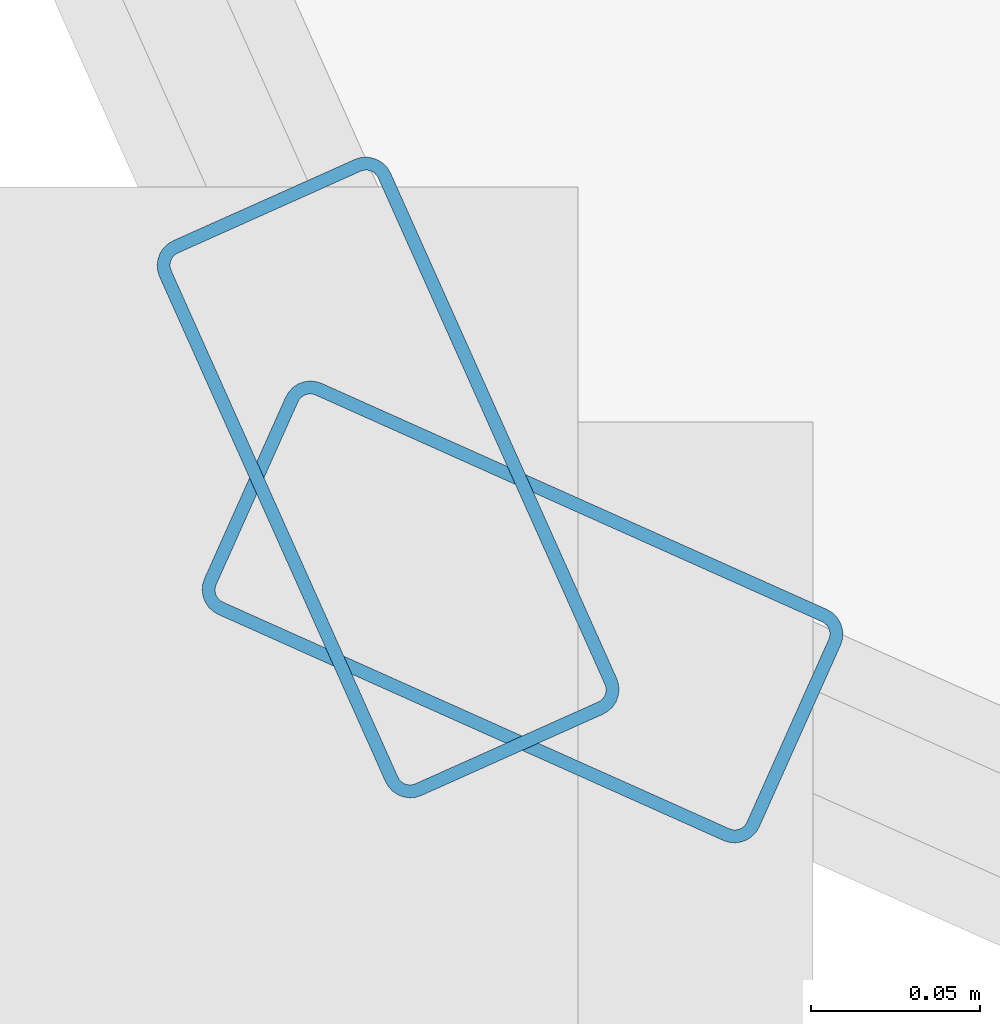
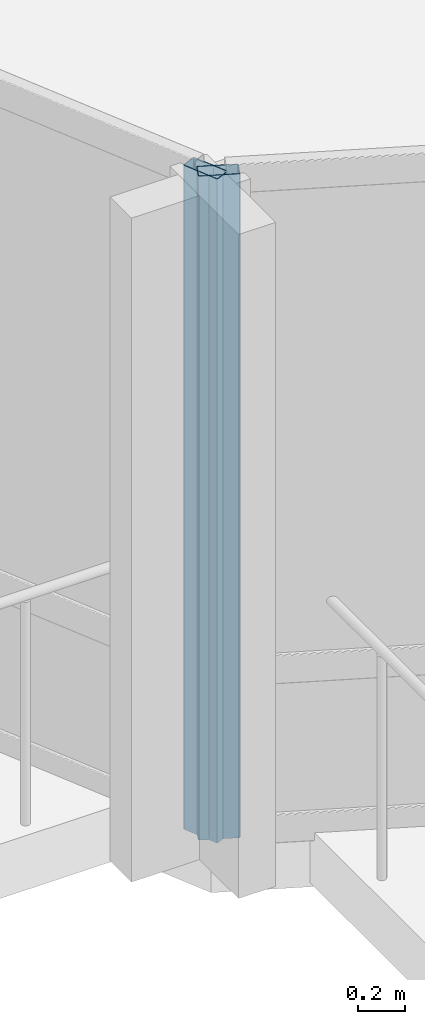
# One storey, part 2 of 19: 2 members, 2 elements without a shape of their own.
"""IFC4 building model written with IfcOpenShell, lengths in metres."""

from ifc_helpers import new_model, si_unit, direction, frame, origin, origin_2d, place, context, subcontext, project, spatial, hollow_rectangle, extrude, material, layer, layer_set, material_profile, profile_set, type_object, element, aggregate, save


model = new_model("IFC4")

# Units and contexts
model_context = context("Model", 3, precision=1e-05, world=origin(), true_north=direction((0.0, 1.0)))
body_context = subcontext(model_context, "Body", "Model", "MODEL_VIEW")
ifc_project = project(units=[si_unit("LENGTHUNIT", "METRE"), si_unit("AREAUNIT", "SQUARE_METRE"), si_unit("VOLUMEUNIT", "CUBIC_METRE"), si_unit("PLANEANGLEUNIT", "RADIAN"), si_unit("MASSUNIT", "GRAM", prefix="KILO")], contexts=[model_context])

# Site, building, storey
site_placement = place(None, origin())
site = spatial("IfcSite", under=ifc_project, at=site_placement, CompositionType="ELEMENT")
building_placement = place(site_placement, origin())
building = spatial("IfcBuilding", under=site, at=building_placement, Name="Solvaryn Broadcast Tower", CompositionType="ELEMENT")
storey_placement = place(building_placement, frame((0.0, 0.0, 259.300048828125)))
storey = spatial("IfcBuildingStorey", under=building, at=storey_placement, Name="L65", CompositionType="ELEMENT", Elevation=259.300048828125)

# Curtain wall, member
ifc_material_1 = material(Name="Aluminium and Terracotta Unitised Curtain Wall", Category="masonry")
ifc_layer = layer(ifc_material_1, 0.199951171875)
ifc_layer_set = layer_set([ifc_layer], Name="CW-SYS2-LOWMID")
curtain_wall_type = type_object("IfcCurtainWallType", Name="CW-SYS2-LOWMID", PredefinedType="NOTDEFINED", material=ifc_layer_set)
curtain_wall_1_placement = place(storey_placement, origin())
curtain_wall_1 = element("IfcCurtainWall", 1, at=curtain_wall_1_placement, inside=storey, type_object=curtain_wall_type, Name="L65 Curtain Wall DR2", PredefinedType="NOTDEFINED")
ifc_material_2 = material(Name="Anodised Aluminium 6063-T6", Category="aluminium")
ifc_material_profile = material_profile(ifc_material_2, hollow_rectangle(XDim=0.074951171875, YDim=0.179931640625, WallThickness=0.00390625, InnerFilletRadius=0.00390625, OuterFilletRadius=0.008056640625, at=origin_2d()))
ifc_profile_set = profile_set([ifc_material_profile], Name="Anodised Aluminium 6063-T6")
member_type = type_object("IfcMemberType", Name="CW-MUL-180", PredefinedType="MULLION", material=ifc_profile_set)
member_1_placement = place(storey_placement, frame((10.8046875, 10.844482421875, 0.0), z_axis=(0.0, 0.0, 1.0), x_axis=(0.912773530574, 0.408466010682, 0.0)))
member_1 = element("IfcMember", 2, at=member_1_placement, type_object=member_type, Name="CWS2 mullion 2", PredefinedType="MULLION", context=body_context, shape_type="SweptSolid", body=[
    extrude(hollow_rectangle(XDim=0.074951171875, YDim=0.179931640625, WallThickness=0.00390625, InnerFilletRadius=0.00390625, OuterFilletRadius=0.008056640625, at=origin_2d()), origin(), (0.0, 0.0, 1.0), 3.419921875),
])
aggregate(curtain_wall_1, [member_1])

curtain_wall_2_placement = place(storey_placement, origin())
curtain_wall_2 = element("IfcCurtainWall", 3, at=curtain_wall_2_placement, inside=storey, type_object=curtain_wall_type, Name="L65 Curtain Wall DR3", PredefinedType="NOTDEFINED")
member_2_placement = place(storey_placement, frame((10.844482421875, 10.8046875, 0.0), z_axis=(0.0, 0.0, 1.0), x_axis=(0.408466010682, 0.912773530574, 0.0)))
member_2 = element("IfcMember", 4, at=member_2_placement, type_object=member_type, Name="CWS2 mullion 1", PredefinedType="MULLION", context=body_context, shape_type="SweptSolid", body=[
    extrude(hollow_rectangle(XDim=0.074951171875, YDim=0.179931640625, WallThickness=0.00390625, InnerFilletRadius=0.00390625, OuterFilletRadius=0.008056640625, at=origin_2d()), origin(), (0.0, 0.0, 1.0), 3.419921875),
])
aggregate(curtain_wall_2, [member_2])

save(model, "model.ifc")
